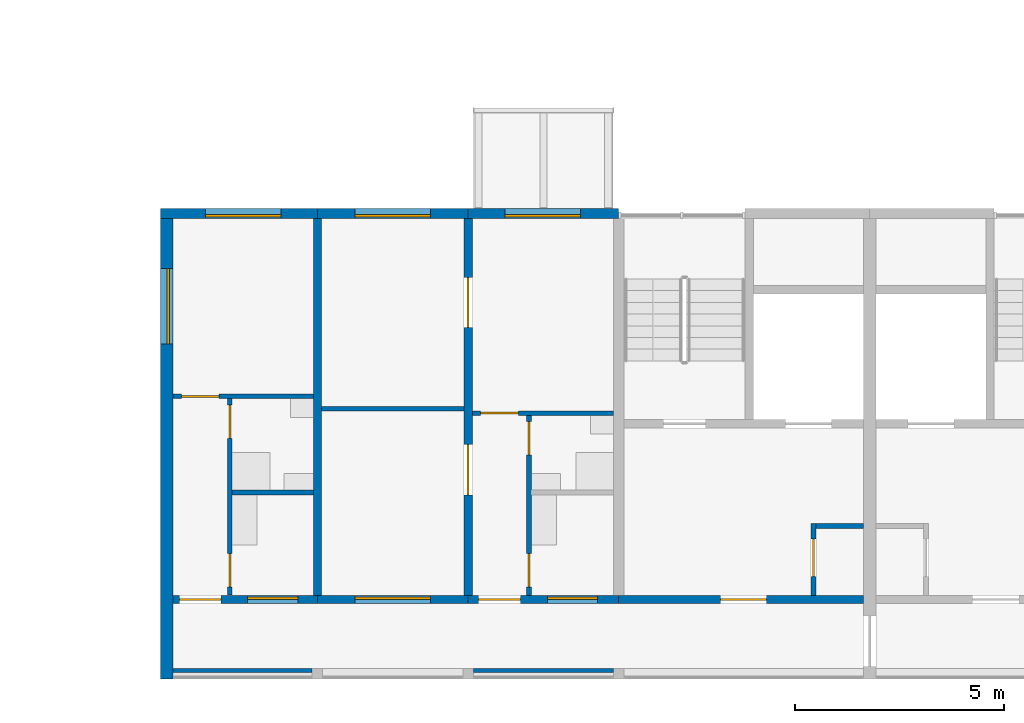
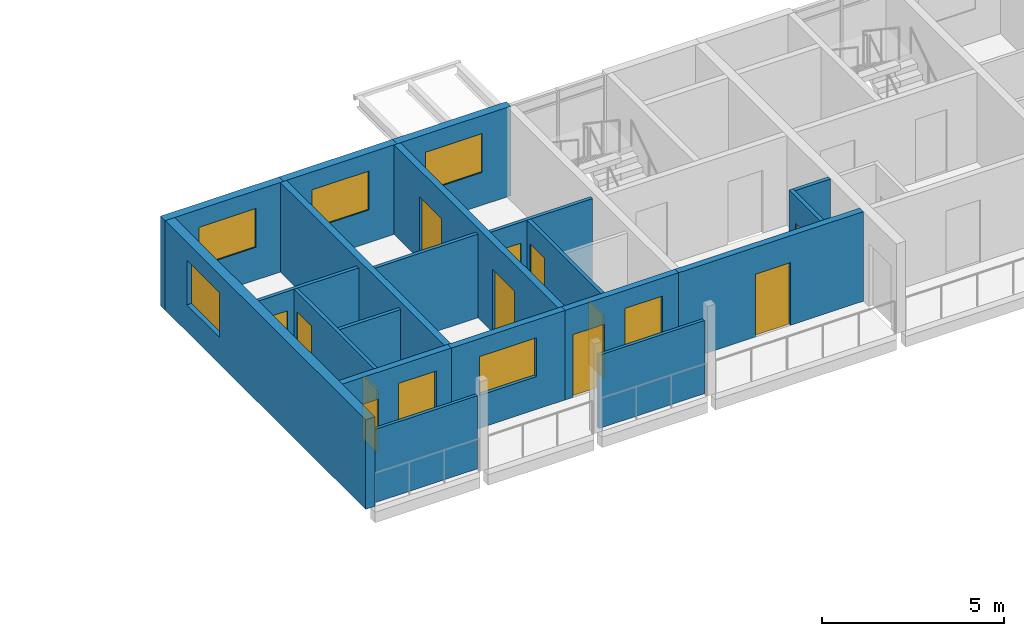
# One storey, part 45 of 94: 20 walls, 12 doors, 7 windows, 19 openings.
"""IFC4 building model written with IfcOpenShell, lengths in metres."""

from ifc_helpers import new_model, si_unit, direction, frame, frame_2d, origin, place, context, subcontext, project, spatial, rectangle, extrude, material, layer, layer_set, type_object, element, fill, save


model = new_model("IFC4")

# Units and contexts
model_context = context("Model", 3, precision=1e-05, world=origin(), true_north=direction((0.0, 1.0)))
body_context = subcontext(model_context, "Body", "Model", "MODEL_VIEW")
ifc_project = project(units=[si_unit("LENGTHUNIT", "METRE"), si_unit("AREAUNIT", "SQUARE_METRE"), si_unit("VOLUMEUNIT", "CUBIC_METRE"), si_unit("PLANEANGLEUNIT", "RADIAN"), si_unit("MASSUNIT", "GRAM", prefix="KILO")], contexts=[model_context])

# Site, building, storey
site_placement = place(None, origin())
site = spatial("IfcSite", under=ifc_project, at=site_placement, CompositionType="ELEMENT")
building_placement = place(site_placement, origin())
building = spatial("IfcBuilding", under=site, at=building_placement, Name="Ridgestep Commons", CompositionType="ELEMENT")
storey_placement = place(building_placement, frame((0.0, 0.0, 24.0)))
storey = spatial("IfcBuildingStorey", under=building, at=storey_placement, Name="L08", CompositionType="ELEMENT", Elevation=24.0)

# Wall, opening, door
ifc_material_1 = material(Name="Concrete C30/37", Category="concrete")
ifc_layer_1 = layer(ifc_material_1, 0.199951171875)
ifc_layer_set_1 = layer_set([ifc_layer_1], Name="Core south wall 200")
wall_type_1 = type_object("IfcWallType", Name="Core south wall 200", PredefinedType="SHEAR", material=ifc_layer_set_1)
wall_1_placement = place(storey_placement, frame((157.60009765625, 13.64990234375, 0.0), z_axis=(0.0, 0.0, 1.0), x_axis=(1.0, 0.0, 0.0)))
wall_1 = element("IfcWall", 1, at=wall_1_placement, inside=storey, type_object=wall_type_1, Name="Core south wall D1C L08", PredefinedType="SHEAR", context=body_context, shape_type="SweptSolid", body=[
    extrude(rectangle(XDim=5.849853515625, YDim=0.199951171875, at=frame_2d((2.9248046875, 0.0))), origin(), (0.0, 0.0, 1.0), 3.0),
])
opening_1_placement = place(wall_1_placement, frame((2.4375, 0.0, 0.0)))
opening_1 = element("IfcOpeningElement", 2, at=opening_1_placement, cuts=wall_1, Name="Opening D1C/08/1", PredefinedType="OPENING", context=body_context, shape_type="SweptSolid", body=[
    extrude(rectangle(XDim=1.10009765625, YDim=2.10009765625, at=frame_2d((0.550048828125, 1.050048828125))), frame((0.0, 0.10986328125, 0.0), z_axis=(0.0, -1.0, 0.0), x_axis=(1.0, 0.0, 0.0)), (0.0, 0.0, 1.0), 0.219970703125),
])
ifc_material_2 = material(Name="Steel fire door", Category="steel")
door_type_1 = type_object("IfcDoorType", Name="Lobby door 1100 x 2100 FD60", OperationType="NOTDEFINED", PredefinedType="DOOR", material=ifc_material_2)
door_1_placement = place(opening_1_placement, origin())
door_1 = element("IfcDoor", 3, at=door_1_placement, inside=storey, type_object=door_type_1, Name="Lobby door D1C/08/1", OperationType="SINGLE_SWING_LEFT", OverallHeight=2.10009765625, OverallWidth=1.10009765625, PredefinedType="DOOR", context=body_context, shape_type="SweptSolid", body=[
    extrude(rectangle(XDim=1.10009765625, YDim=2.10009765625, at=frame_2d((0.550048828125, 1.050048828125))), frame((0.0, 0.02490234375, 0.0), z_axis=(0.0, -1.0, 0.0), x_axis=(1.0, 0.0, 0.0)), (0.0, 0.0, 1.0), 0.050048828125),
])
fill(opening_1, door_1)

ifc_material_3 = material(Name="Concrete C30/37", Category="concrete")
ifc_layer_2 = layer(ifc_material_3, 0.1201171875)
ifc_layer_set_2 = layer_set([ifc_layer_2], Name="Core wall 120")
wall_type_2 = type_object("IfcWallType", Name="Core wall 120", PredefinedType="SHEAR", material=ifc_layer_set_2)
wall_2_placement = place(storey_placement, frame((162.260009765625, 13.75, 0.0), z_axis=(0.0, 0.0, 1.0), x_axis=(0.0, 1.0, 0.0)))
wall_2 = element("IfcWall", 4, at=wall_2_placement, inside=storey, type_object=wall_type_2, Name="Core riser w wall D1C L08", PredefinedType="SHEAR", context=body_context, shape_type="SweptSolid", body=[
    extrude(rectangle(XDim=1.719970703125, YDim=0.1201171875, at=frame_2d((0.85986328125, 0.0))), origin(), (0.0, 0.0, 1.0), 3.0),
])
opening_2_placement = place(wall_2_placement, frame((0.449951171875, 0.0, 0.0)))
opening_2 = element("IfcOpeningElement", 5, at=opening_2_placement, cuts=wall_2, Name="Opening D1C/08/4", PredefinedType="OPENING", context=body_context, shape_type="SweptSolid", body=[
    extrude(rectangle(XDim=0.89990234375, YDim=2.10009765625, at=frame_2d((0.449951171875, 1.050048828125))), frame((0.0, 0.070068359375, 0.0), z_axis=(0.0, -1.0, 0.0), x_axis=(1.0, 0.0, 0.0)), (0.0, 0.0, 1.0), 0.14013671875),
])
ifc_material_4 = material(Name="Steel fire door", Category="steel")
door_type_2 = type_object("IfcDoorType", Name="Riser door 900 x 2100 FD60", OperationType="NOTDEFINED", PredefinedType="DOOR", material=ifc_material_4)
door_2_placement = place(opening_2_placement, origin())
door_2 = element("IfcDoor", 6, at=door_2_placement, inside=storey, type_object=door_type_2, Name="Riser door D1C/08/4", OperationType="SINGLE_SWING_LEFT", OverallHeight=2.10009765625, OverallWidth=0.89990234375, PredefinedType="DOOR", context=body_context, shape_type="SweptSolid", body=[
    extrude(rectangle(XDim=0.89990234375, YDim=2.10009765625, at=frame_2d((0.449951171875, 1.050048828125))), frame((0.0, 0.02490234375, 0.0), z_axis=(0.0, -1.0, 0.0), x_axis=(1.0, 0.0, 0.0)), (0.0, 0.0, 1.0), 0.050048828125),
])
fill(opening_2, door_2)

# Walls
wall_3_placement = place(storey_placement, frame((162.320068359375, 15.409912109375, 0.0), z_axis=(0.0, 0.0, 1.0), x_axis=(1.0, 0.0, 0.0)))
element("IfcWall", 7, at=wall_3_placement, inside=storey, type_object=wall_type_2, Name="Core riser n wall D1C L08", PredefinedType="SHEAR", context=body_context, shape_type="SweptSolid", body=[
    extrude(rectangle(XDim=1.1298828125, YDim=0.1201171875, at=frame_2d((0.56494140625, 0.0))), origin(), (0.0, 0.0, 1.0), 3.0),
])
ifc_material_5 = material(Name="Precast concrete C40/50", Category="concrete")
ifc_layer_3 = layer(ifc_material_5, 0.199951171875)
ifc_layer_set_3 = layer_set([ifc_layer_3], Name="Cross wall 200")
wall_type_3 = type_object("IfcWallType", Name="Cross wall 200", PredefinedType="SHEAR", material=ifc_layer_set_3)
wall_4_placement = place(storey_placement, frame((150.39990234375, 13.75, 0.0), z_axis=(0.0, 0.0, 1.0), x_axis=(0.0, 1.0, 0.0)))
element("IfcWall", 8, at=wall_4_placement, inside=storey, type_object=wall_type_3, Name="Cross wall D-08-1504", PredefinedType="SHEAR", context=body_context, shape_type="SweptSolid", body=[
    extrude(rectangle(XDim=9.0, YDim=0.199951171875, at=frame_2d((4.5, 0.0))), origin(), (0.0, 0.0, 1.0), 3.0),
])

# Wall, openings, doors
wall_5_placement = place(storey_placement, frame((154.0, 13.75, 0.0), z_axis=(0.0, 0.0, 1.0), x_axis=(0.0, 1.0, 0.0)))
wall_5 = element("IfcWall", 9, at=wall_5_placement, inside=storey, type_object=wall_type_3, Name="Cross wall D-08-1540", PredefinedType="SHEAR", context=body_context, shape_type="SweptSolid", body=[
    extrude(rectangle(XDim=9.0, YDim=0.199951171875, at=frame_2d((4.5, 0.0))), origin(), (0.0, 0.0, 1.0), 3.0),
])
opening_3_placement = place(wall_5_placement, frame((2.39990234375, 0.0, 0.0)))
opening_3 = element("IfcOpeningElement", 10, at=opening_3_placement, cuts=wall_5, Name="Opening D1-08b/5", PredefinedType="OPENING", context=body_context, shape_type="SweptSolid", body=[
    extrude(rectangle(XDim=1.199951171875, YDim=2.10009765625, at=frame_2d((0.60009765625, 1.050048828125))), frame((0.0, 0.10986328125, 0.0), z_axis=(0.0, -1.0, 0.0), x_axis=(1.0, 0.0, 0.0)), (0.0, 0.0, 1.0), 0.219970703125),
])
opening_4_placement = place(wall_5_placement, frame((6.39990234375, 0.0, 0.0)))
opening_4 = element("IfcOpeningElement", 11, at=opening_4_placement, cuts=wall_5, Name="Opening D1-08b/6", PredefinedType="OPENING", context=body_context, shape_type="SweptSolid", body=[
    extrude(rectangle(XDim=1.199951171875, YDim=2.10009765625, at=frame_2d((0.60009765625, 1.050048828125))), frame((0.0, 0.10986328125, 0.0), z_axis=(0.0, -1.0, 0.0), x_axis=(1.0, 0.0, 0.0)), (0.0, 0.0, 1.0), 0.219970703125),
])
ifc_material_6 = material(Name="Timber door leaf", Category="wood")
door_type_3 = type_object("IfcDoorType", Name="Double door 1200 x 2100", OperationType="DOUBLE_DOOR_SINGLE_SWING", PredefinedType="DOOR", material=ifc_material_6)
door_3_placement = place(opening_3_placement, origin())
door_3 = element("IfcDoor", 12, at=door_3_placement, inside=storey, type_object=door_type_3, Name="Double door D1-08b/5", OperationType="DOUBLE_DOOR_SINGLE_SWING", OverallHeight=2.10009765625, OverallWidth=1.199951171875, PredefinedType="DOOR", context=body_context, shape_type="SweptSolid", body=[
    extrude(rectangle(XDim=1.199951171875, YDim=2.10009765625, at=frame_2d((0.60009765625, 1.050048828125))), frame((0.0, 0.02490234375, 0.0), z_axis=(0.0, -1.0, 0.0), x_axis=(1.0, 0.0, 0.0)), (0.0, 0.0, 1.0), 0.050048828125),
])
fill(opening_3, door_3)
door_4_placement = place(opening_4_placement, origin())
door_4 = element("IfcDoor", 13, at=door_4_placement, inside=storey, type_object=door_type_3, Name="Double door D1-08b/6", OperationType="DOUBLE_DOOR_SINGLE_SWING", OverallHeight=2.10009765625, OverallWidth=1.199951171875, PredefinedType="DOOR", context=body_context, shape_type="SweptSolid", body=[
    extrude(rectangle(XDim=1.199951171875, YDim=2.10009765625, at=frame_2d((0.60009765625, 1.050048828125))), frame((0.0, 0.02490234375, 0.0), z_axis=(0.0, -1.0, 0.0), x_axis=(1.0, 0.0, 0.0)), (0.0, 0.0, 1.0), 0.050048828125),
])
fill(opening_4, door_4)

# Wall, opening, window
ifc_material_7 = material(Name="Precast concrete C40/50", Category="concrete")
ifc_layer_4 = layer(ifc_material_7, 0.300048828125)
ifc_layer_set_4 = layer_set([ifc_layer_4], Name="Exposed division wall 300")
wall_type_4 = type_object("IfcWallType", Name="Exposed division wall 300", PredefinedType="SHEAR", material=ifc_layer_set_4)
wall_6_placement = place(storey_placement, frame((146.800048828125, 11.75, 0.0), z_axis=(0.0, 0.0, 1.0), x_axis=(0.0, 1.0, 0.0)))
wall_6 = element("IfcWall", 14, at=wall_6_placement, inside=storey, type_object=wall_type_4, Name="Cross wall D-08-1468", PredefinedType="SHEAR", context=body_context, shape_type="SweptSolid", body=[
    extrude(rectangle(XDim=11.0, YDim=0.300048828125, at=frame_2d((5.5, 0.0))), origin(), (0.0, 0.0, 1.0), 3.0),
])
opening_5_placement = place(wall_6_placement, frame((8.0048828125, 0.0, 0.89990234375)))
opening_5 = element("IfcOpeningElement", 15, at=opening_5_placement, cuts=wall_6, Name="Opening W20", PredefinedType="OPENING", context=body_context, shape_type="SweptSolid", body=[
    extrude(rectangle(XDim=1.800048828125, YDim=1.5, at=frame_2d((0.89990234375, 0.75))), frame((0.0, 0.159912109375, 0.0), z_axis=(0.0, -1.0, 0.0), x_axis=(1.0, 0.0, 0.0)), (0.0, 0.0, 1.0), 0.320068359375),
])
ifc_material_8 = material(Name="Aluminium 6063-T6 and glass", Category="aluminium")
window_type_1 = type_object("IfcWindowType", Name="Flat window 1800 x 1500", PartitioningType="DOUBLE_PANEL_VERTICAL", PredefinedType="WINDOW", material=ifc_material_8)
window_1_placement = place(opening_5_placement, origin())
window_1 = element("IfcWindow", 16, at=window_1_placement, inside=storey, type_object=window_type_1, Name="Window D1-08a 3", OverallHeight=1.5, OverallWidth=1.800048828125, PartitioningType="SINGLE_PANEL", PredefinedType="WINDOW", context=body_context, shape_type="SweptSolid", body=[
    extrude(rectangle(XDim=1.800048828125, YDim=1.5, at=frame_2d((0.89990234375, 0.75))), frame((0.0, 0.0, 0.0), z_axis=(0.0, -1.0, 0.0), x_axis=(1.0, 0.0, 0.0)), (0.0, 0.0, 1.0), 0.06005859375),
])
fill(opening_5, window_1)

ifc_material_9 = material(Name="Precast concrete C40/50", Category="concrete")
ifc_layer_5 = layer(ifc_material_9, 0.25)
ifc_layer_set_5 = layer_set([ifc_layer_5], Name="North facade panel 250")
wall_type_5 = type_object("IfcWallType", Name="North facade panel 250", PredefinedType="SOLIDWALL", material=ifc_layer_set_5)
wall_7_placement = place(storey_placement, frame((146.64990234375, 22.875, 0.0), z_axis=(0.0, 0.0, 1.0), x_axis=(1.0, 0.0, 0.0)))
wall_7 = element("IfcWall", 17, at=wall_7_placement, inside=storey, type_object=wall_type_5, Name="North panel D1T1 L08", PredefinedType="SOLIDWALL", context=body_context, shape_type="SweptSolid", body=[
    extrude(rectangle(XDim=3.75, YDim=0.25, at=frame_2d((1.875, 0.0))), origin(), (0.0, 0.0, 1.0), 3.0),
])
opening_6_placement = place(wall_7_placement, frame((1.074951171875, 0.0, 1.10009765625)))
opening_6 = element("IfcOpeningElement", 18, at=opening_6_placement, cuts=wall_7, Name="Opening W18", PredefinedType="OPENING", context=body_context, shape_type="SweptSolid", body=[
    extrude(rectangle(XDim=1.800048828125, YDim=1.300048828125, at=frame_2d((0.89990234375, 0.64990234375))), frame((0.0, 0.135009765625, 0.0), z_axis=(0.0, -1.0, 0.0), x_axis=(1.0, 0.0, 0.0)), (0.0, 0.0, 1.0), 0.27001953125),
])
ifc_material_10 = material(Name="Aluminium 6063-T6 and glass", Category="aluminium")
window_type_2 = type_object("IfcWindowType", Name="Flat window 1800 x 1300", PartitioningType="DOUBLE_PANEL_VERTICAL", PredefinedType="WINDOW", material=ifc_material_10)
window_2_placement = place(opening_6_placement, origin())
window_2 = element("IfcWindow", 19, at=window_2_placement, inside=storey, type_object=window_type_2, Name="Window D1-08a 2", OverallHeight=1.300048828125, OverallWidth=1.800048828125, PartitioningType="SINGLE_PANEL", PredefinedType="WINDOW", context=body_context, shape_type="SweptSolid", body=[
    extrude(rectangle(XDim=1.800048828125, YDim=1.300048828125, at=frame_2d((0.89990234375, 0.64990234375))), frame((0.0, -0.02490234375, 0.0), z_axis=(0.0, -1.0, 0.0), x_axis=(1.0, 0.0, 0.0)), (0.0, 0.0, 1.0), 0.06005859375),
])
fill(opening_6, window_2)

wall_8_placement = place(storey_placement, frame((150.39990234375, 22.875, 0.0), z_axis=(0.0, 0.0, 1.0), x_axis=(1.0, 0.0, 0.0)))
wall_8 = element("IfcWall", 20, at=wall_8_placement, inside=storey, type_object=wall_type_5, Name="North panel D1T2 L08", PredefinedType="SOLIDWALL", context=body_context, shape_type="SweptSolid", body=[
    extrude(rectangle(XDim=3.60009765625, YDim=0.25, at=frame_2d((1.800048828125, 0.0))), origin(), (0.0, 0.0, 1.0), 3.0),
])
opening_7_placement = place(wall_8_placement, frame((0.89990234375, 0.0, 1.10009765625)))
opening_7 = element("IfcOpeningElement", 21, at=opening_7_placement, cuts=wall_8, Name="Opening W18", PredefinedType="OPENING", context=body_context, shape_type="SweptSolid", body=[
    extrude(rectangle(XDim=1.800048828125, YDim=1.300048828125, at=frame_2d((0.89990234375, 0.64990234375))), frame((0.0, 0.135009765625, 0.0), z_axis=(0.0, -1.0, 0.0), x_axis=(1.0, 0.0, 0.0)), (0.0, 0.0, 1.0), 0.27001953125),
])
window_3_placement = place(opening_7_placement, origin())
window_3 = element("IfcWindow", 22, at=window_3_placement, inside=storey, type_object=window_type_2, Name="Window D1-08b 2", OverallHeight=1.300048828125, OverallWidth=1.800048828125, PartitioningType="SINGLE_PANEL", PredefinedType="WINDOW", context=body_context, shape_type="SweptSolid", body=[
    extrude(rectangle(XDim=1.800048828125, YDim=1.300048828125, at=frame_2d((0.89990234375, 0.64990234375))), frame((0.0, -0.02490234375, 0.0), z_axis=(0.0, -1.0, 0.0), x_axis=(1.0, 0.0, 0.0)), (0.0, 0.0, 1.0), 0.06005859375),
])
fill(opening_7, window_3)

wall_9_placement = place(storey_placement, frame((154.0, 22.875, 0.0), z_axis=(0.0, 0.0, 1.0), x_axis=(1.0, 0.0, 0.0)))
wall_9 = element("IfcWall", 23, at=wall_9_placement, inside=storey, type_object=wall_type_5, Name="North panel D1T3 L08", PredefinedType="SOLIDWALL", context=body_context, shape_type="SweptSolid", body=[
    extrude(rectangle(XDim=3.60009765625, YDim=0.25, at=frame_2d((1.800048828125, 0.0))), origin(), (0.0, 0.0, 1.0), 3.0),
])
opening_8_placement = place(wall_9_placement, frame((0.887451171875, 0.0, 1.10009765625)))
opening_8 = element("IfcOpeningElement", 24, at=opening_8_placement, cuts=wall_9, Name="Opening W18", PredefinedType="OPENING", context=body_context, shape_type="SweptSolid", body=[
    extrude(rectangle(XDim=1.800048828125, YDim=1.300048828125, at=frame_2d((0.89990234375, 0.64990234375))), frame((0.0, 0.135009765625, 0.0), z_axis=(0.0, -1.0, 0.0), x_axis=(1.0, 0.0, 0.0)), (0.0, 0.0, 1.0), 0.27001953125),
])
window_4_placement = place(opening_8_placement, origin())
window_4 = element("IfcWindow", 25, at=window_4_placement, inside=storey, type_object=window_type_2, Name="Window D1-08b 4", OverallHeight=1.300048828125, OverallWidth=1.800048828125, PartitioningType="SINGLE_PANEL", PredefinedType="WINDOW", context=body_context, shape_type="SweptSolid", body=[
    extrude(rectangle(XDim=1.800048828125, YDim=1.300048828125, at=frame_2d((0.89990234375, 0.64990234375))), frame((0.0, -0.02490234375, 0.0), z_axis=(0.0, -1.0, 0.0), x_axis=(1.0, 0.0, 0.0)), (0.0, 0.0, 1.0), 0.06005859375),
])
fill(opening_8, window_4)

# Wall, openings, doors
ifc_material_11 = material(Name="Common brick 110 mm", Category="masonry")
ifc_layer_6 = layer(ifc_material_11, 0.110107421875)
ifc_layer_set_6 = layer_set([ifc_layer_6], Name="Partition 110")
wall_type_6 = type_object("IfcWallType", Name="Partition 110", PredefinedType="PARTITIONING", material=ifc_layer_set_6)
wall_10_placement = place(storey_placement, frame((148.304931640625, 13.75, 0.0), z_axis=(0.0, 0.0, 1.0), x_axis=(0.0, 1.0, 0.0)))
wall_10 = element("IfcWall", 26, at=wall_10_placement, inside=storey, type_object=wall_type_6, Name="Partition D1-08a", PredefinedType="PARTITIONING", context=body_context, shape_type="SweptSolid", body=[
    extrude(rectangle(XDim=4.699951171875, YDim=0.110107421875, at=frame_2d((2.35009765625, 0.0))), origin(), (0.0, 0.0, 1.0), 2.75),
])
opening_9_placement = place(wall_10_placement, frame((0.199951171875, 0.0, 0.0)))
opening_9 = element("IfcOpeningElement", 27, at=opening_9_placement, cuts=wall_10, Name="Opening D1-08a/2", PredefinedType="OPENING", context=body_context, shape_type="SweptSolid", body=[
    extrude(rectangle(XDim=0.800048828125, YDim=2.10009765625, at=frame_2d((0.39990234375, 1.050048828125))), frame((0.0, 0.06494140625, 0.0), z_axis=(0.0, -1.0, 0.0), x_axis=(1.0, 0.0, 0.0)), (0.0, 0.0, 1.0), 0.130126953125),
])
opening_10_placement = place(wall_10_placement, frame((3.75, 0.0, 0.0)))
opening_10 = element("IfcOpeningElement", 28, at=opening_10_placement, cuts=wall_10, Name="Opening D1-08a/3", PredefinedType="OPENING", context=body_context, shape_type="SweptSolid", body=[
    extrude(rectangle(XDim=0.800048828125, YDim=2.10009765625, at=frame_2d((0.39990234375, 1.050048828125))), frame((0.0, 0.06494140625, 0.0), z_axis=(0.0, -1.0, 0.0), x_axis=(1.0, 0.0, 0.0)), (0.0, 0.0, 1.0), 0.130126953125),
])
ifc_material_12 = material(Name="Timber door leaf", Category="wood")
door_type_4 = type_object("IfcDoorType", Name="Internal door 800 x 2100", OperationType="NOTDEFINED", PredefinedType="DOOR", material=ifc_material_12)
door_5_placement = place(opening_9_placement, origin())
door_5 = element("IfcDoor", 29, at=door_5_placement, inside=storey, type_object=door_type_4, Name="Internal door D1-08a/2", OperationType="SINGLE_SWING_RIGHT", OverallHeight=2.10009765625, OverallWidth=0.800048828125, PredefinedType="DOOR", context=body_context, shape_type="SweptSolid", body=[
    extrude(rectangle(XDim=0.800048828125, YDim=2.10009765625, at=frame_2d((0.39990234375, 1.050048828125))), frame((0.0, 0.02490234375, 0.0), z_axis=(0.0, -1.0, 0.0), x_axis=(1.0, 0.0, 0.0)), (0.0, 0.0, 1.0), 0.050048828125),
])
fill(opening_9, door_5)
door_6_placement = place(opening_10_placement, origin())
door_6 = element("IfcDoor", 30, at=door_6_placement, inside=storey, type_object=door_type_4, Name="Internal door D1-08a/3", OperationType="SINGLE_SWING_LEFT", OverallHeight=2.10009765625, OverallWidth=0.800048828125, PredefinedType="DOOR", context=body_context, shape_type="SweptSolid", body=[
    extrude(rectangle(XDim=0.800048828125, YDim=2.10009765625, at=frame_2d((0.39990234375, 1.050048828125))), frame((0.0, 0.02490234375, 0.0), z_axis=(0.0, -1.0, 0.0), x_axis=(1.0, 0.0, 0.0)), (0.0, 0.0, 1.0), 0.050048828125),
])
fill(opening_10, door_6)

# Wall
wall_11_placement = place(storey_placement, frame((148.360107421875, 16.205078125, 0.0), z_axis=(0.0, 0.0, 1.0), x_axis=(1.0, 0.0, 0.0)))
element("IfcWall", 31, at=wall_11_placement, inside=storey, type_object=wall_type_6, Name="Partition D1-08a", PredefinedType="PARTITIONING", context=body_context, shape_type="SweptSolid", body=[
    extrude(rectangle(XDim=1.93994140625, YDim=0.110107421875, at=frame_2d((0.969970703125, 0.0))), origin(), (0.0, 0.0, 1.0), 2.75),
])

# Wall, opening, door
wall_12_placement = place(storey_placement, frame((146.949951171875, 18.5048828125, 0.0), z_axis=(0.0, 0.0, 1.0), x_axis=(1.0, 0.0, 0.0)))
wall_12 = element("IfcWall", 32, at=wall_12_placement, inside=storey, type_object=wall_type_6, Name="Partition D1-08a", PredefinedType="PARTITIONING", context=body_context, shape_type="SweptSolid", body=[
    extrude(rectangle(XDim=3.35009765625, YDim=0.110107421875, at=frame_2d((1.675048828125, 0.0))), origin(), (0.0, 0.0, 1.0), 2.75),
])
opening_11_placement = place(wall_12_placement, frame((0.199951171875, 0.0, 0.0)))
opening_11 = element("IfcOpeningElement", 33, at=opening_11_placement, cuts=wall_12, Name="Opening D1-08a/4", PredefinedType="OPENING", context=body_context, shape_type="SweptSolid", body=[
    extrude(rectangle(XDim=0.89990234375, YDim=2.10009765625, at=frame_2d((0.449951171875, 1.050048828125))), frame((0.0, 0.06494140625, 0.0), z_axis=(0.0, -1.0, 0.0), x_axis=(1.0, 0.0, 0.0)), (0.0, 0.0, 1.0), 0.130126953125),
])
ifc_material_13 = material(Name="Timber door leaf", Category="wood")
door_type_5 = type_object("IfcDoorType", Name="Internal door 900 x 2100", OperationType="NOTDEFINED", PredefinedType="DOOR", material=ifc_material_13)
door_7_placement = place(opening_11_placement, origin())
door_7 = element("IfcDoor", 34, at=door_7_placement, inside=storey, type_object=door_type_5, Name="Internal door D1-08a/4", OperationType="SINGLE_SWING_LEFT", OverallHeight=2.10009765625, OverallWidth=0.89990234375, PredefinedType="DOOR", context=body_context, shape_type="SweptSolid", body=[
    extrude(rectangle(XDim=0.89990234375, YDim=2.10009765625, at=frame_2d((0.449951171875, 1.050048828125))), frame((0.0, 0.02490234375, 0.0), z_axis=(0.0, -1.0, 0.0), x_axis=(1.0, 0.0, 0.0)), (0.0, 0.0, 1.0), 0.050048828125),
])
fill(opening_11, door_7)

# Wall, openings, doors
wall_13_placement = place(storey_placement, frame((155.455078125, 13.75, 0.0), z_axis=(0.0, 0.0, 1.0), x_axis=(0.0, 1.0, 0.0)))
wall_13 = element("IfcWall", 35, at=wall_13_placement, inside=storey, type_object=wall_type_6, Name="Partition D1-08b", PredefinedType="PARTITIONING", context=body_context, shape_type="SweptSolid", body=[
    extrude(rectangle(XDim=4.300048828125, YDim=0.110107421875, at=frame_2d((2.14990234375, 0.0))), origin(), (0.0, 0.0, 1.0), 2.800048828125),
])
opening_12_placement = place(wall_13_placement, frame((0.199951171875, 0.0, 0.0)))
opening_12 = element("IfcOpeningElement", 36, at=opening_12_placement, cuts=wall_13, Name="Opening D1-08b/2", PredefinedType="OPENING", context=body_context, shape_type="SweptSolid", body=[
    extrude(rectangle(XDim=0.800048828125, YDim=2.10009765625, at=frame_2d((0.39990234375, 1.050048828125))), frame((0.0, 0.06494140625, 0.0), z_axis=(0.0, -1.0, 0.0), x_axis=(1.0, 0.0, 0.0)), (0.0, 0.0, 1.0), 0.130126953125),
])
opening_13_placement = place(wall_13_placement, frame((3.35009765625, 0.0, 0.0)))
opening_13 = element("IfcOpeningElement", 37, at=opening_13_placement, cuts=wall_13, Name="Opening D1-08b/3", PredefinedType="OPENING", context=body_context, shape_type="SweptSolid", body=[
    extrude(rectangle(XDim=0.800048828125, YDim=2.10009765625, at=frame_2d((0.39990234375, 1.050048828125))), frame((0.0, 0.06494140625, 0.0), z_axis=(0.0, -1.0, 0.0), x_axis=(1.0, 0.0, 0.0)), (0.0, 0.0, 1.0), 0.130126953125),
])
door_8_placement = place(opening_12_placement, origin())
door_8 = element("IfcDoor", 38, at=door_8_placement, inside=storey, type_object=door_type_4, Name="Internal door D1-08b/2", OperationType="SINGLE_SWING_RIGHT", OverallHeight=2.10009765625, OverallWidth=0.800048828125, PredefinedType="DOOR", context=body_context, shape_type="SweptSolid", body=[
    extrude(rectangle(XDim=0.800048828125, YDim=2.10009765625, at=frame_2d((0.39990234375, 1.050048828125))), frame((0.0, 0.02490234375, 0.0), z_axis=(0.0, -1.0, 0.0), x_axis=(1.0, 0.0, 0.0)), (0.0, 0.0, 1.0), 0.050048828125),
])
fill(opening_12, door_8)
door_9_placement = place(opening_13_placement, origin())
door_9 = element("IfcDoor", 39, at=door_9_placement, inside=storey, type_object=door_type_4, Name="Internal door D1-08b/3", OperationType="SINGLE_SWING_LEFT", OverallHeight=2.10009765625, OverallWidth=0.800048828125, PredefinedType="DOOR", context=body_context, shape_type="SweptSolid", body=[
    extrude(rectangle(XDim=0.800048828125, YDim=2.10009765625, at=frame_2d((0.39990234375, 1.050048828125))), frame((0.0, 0.02490234375, 0.0), z_axis=(0.0, -1.0, 0.0), x_axis=(1.0, 0.0, 0.0)), (0.0, 0.0, 1.0), 0.050048828125),
])
fill(opening_13, door_9)

# Wall, opening, door
wall_14_placement = place(storey_placement, frame((154.10009765625, 18.10498046875, 0.0), z_axis=(0.0, 0.0, 1.0), x_axis=(1.0, 0.0, 0.0)))
wall_14 = element("IfcWall", 40, at=wall_14_placement, inside=storey, type_object=wall_type_6, Name="Partition D1-08b", PredefinedType="PARTITIONING", context=body_context, shape_type="SweptSolid", body=[
    extrude(rectangle(XDim=3.375, YDim=0.110107421875, at=frame_2d((1.6875, 0.0))), origin(), (0.0, 0.0, 1.0), 2.800048828125),
])
opening_14_placement = place(wall_14_placement, frame((0.199951171875, 0.0, 0.0)))
opening_14 = element("IfcOpeningElement", 41, at=opening_14_placement, cuts=wall_14, Name="Opening D1-08b/4", PredefinedType="OPENING", context=body_context, shape_type="SweptSolid", body=[
    extrude(rectangle(XDim=0.89990234375, YDim=2.10009765625, at=frame_2d((0.449951171875, 1.050048828125))), frame((0.0, 0.06494140625, 0.0), z_axis=(0.0, -1.0, 0.0), x_axis=(1.0, 0.0, 0.0)), (0.0, 0.0, 1.0), 0.130126953125),
])
door_10_placement = place(opening_14_placement, origin())
door_10 = element("IfcDoor", 42, at=door_10_placement, inside=storey, type_object=door_type_5, Name="Internal door D1-08b/4", OperationType="SINGLE_SWING_LEFT", OverallHeight=2.10009765625, OverallWidth=0.89990234375, PredefinedType="DOOR", context=body_context, shape_type="SweptSolid", body=[
    extrude(rectangle(XDim=0.89990234375, YDim=2.10009765625, at=frame_2d((0.449951171875, 1.050048828125))), frame((0.0, 0.02490234375, 0.0), z_axis=(0.0, -1.0, 0.0), x_axis=(1.0, 0.0, 0.0)), (0.0, 0.0, 1.0), 0.050048828125),
])
fill(opening_14, door_10)

# Walls
wall_15_placement = place(storey_placement, frame((150.5, 18.205078125, 0.0), z_axis=(0.0, 0.0, 1.0), x_axis=(1.0, 0.0, 0.0)))
element("IfcWall", 43, at=wall_15_placement, inside=storey, type_object=wall_type_6, Name="Partition D1-08b", PredefinedType="PARTITIONING", context=body_context, shape_type="SweptSolid", body=[
    extrude(rectangle(XDim=3.39990234375, YDim=0.110107421875, at=frame_2d((1.699951171875, 0.0))), origin(), (0.0, 0.0, 1.0), 2.800048828125),
])
ifc_material_14 = material(Name="Precast concrete C30/37", Category="concrete")
ifc_layer_7 = layer(ifc_material_14, 0.10009765625)
ifc_layer_set_7 = layer_set([ifc_layer_7], Name="Perforated gallery screen 3325 x 2450 x 100")
wall_type_7 = type_object("IfcWallType", Name="Perforated gallery screen 3325 x 2450 x 100", PredefinedType="SOLIDWALL", material=ifc_layer_set_7)
wall_16_placement = place(storey_placement, frame((146.949951171875, 11.949951171875, 0.0), z_axis=(0.0, 0.0, 1.0), x_axis=(1.0, 0.0, 0.0)))
element("IfcWall", 44, at=wall_16_placement, inside=storey, type_object=wall_type_7, Name="Gallery screen D1T1 08", PredefinedType="SOLIDWALL", context=body_context, shape_type="SweptSolid", body=[
    extrude(rectangle(XDim=3.324951171875, YDim=0.10009765625, at=frame_2d((1.66259765625, 0.0))), origin(), (0.0, 0.0, 1.0), 2.449951171875),
])
ifc_material_15 = material(Name="Precast concrete C30/37", Category="concrete")
ifc_layer_8 = layer(ifc_material_15, 0.10009765625)
ifc_layer_set_8 = layer_set([ifc_layer_8], Name="Perforated gallery screen 3350 x 2450 x 100")
wall_type_8 = type_object("IfcWallType", Name="Perforated gallery screen 3350 x 2450 x 100", PredefinedType="SOLIDWALL", material=ifc_layer_set_8)
wall_17_placement = place(storey_placement, frame((154.125, 11.949951171875, 0.0), z_axis=(0.0, 0.0, 1.0), x_axis=(1.0, 0.0, 0.0)))
element("IfcWall", 45, at=wall_17_placement, inside=storey, type_object=wall_type_8, Name="Gallery screen D1T3 08", PredefinedType="SOLIDWALL", context=body_context, shape_type="SweptSolid", body=[
    extrude(rectangle(XDim=3.35009765625, YDim=0.10009765625, at=frame_2d((1.675048828125, 0.0))), origin(), (0.0, 0.0, 1.0), 2.449951171875),
])

# Wall, openings, door, window
ifc_material_16 = material(Name="Precast concrete C40/50", Category="concrete")
ifc_layer_9 = layer(ifc_material_16, 0.199951171875)
ifc_layer_set_9 = layer_set([ifc_layer_9], Name="South facade panel 200")
wall_type_9 = type_object("IfcWallType", Name="South facade panel 200", PredefinedType="SOLIDWALL", material=ifc_layer_set_9)
wall_18_placement = place(storey_placement, frame((146.949951171875, 13.64990234375, 0.0), z_axis=(0.0, 0.0, 1.0), x_axis=(1.0, 0.0, 0.0)))
wall_18 = element("IfcWall", 46, at=wall_18_placement, inside=storey, type_object=wall_type_9, Name="South panel D1T1 L08", PredefinedType="SOLIDWALL", context=body_context, shape_type="SweptSolid", body=[
    extrude(rectangle(XDim=3.449951171875, YDim=0.199951171875, at=frame_2d((1.72509765625, 0.0))), origin(), (0.0, 0.0, 1.0), 3.0),
])
opening_15_placement = place(wall_18_placement, frame((1.780029296875, 0.0, 1.10009765625)))
opening_15 = element("IfcOpeningElement", 47, at=opening_15_placement, cuts=wall_18, Name="Opening W08", PredefinedType="OPENING", context=body_context, shape_type="SweptSolid", body=[
    extrude(rectangle(XDim=1.199951171875, YDim=1.300048828125, at=frame_2d((0.60009765625, 0.64990234375))), frame((0.0, 0.10986328125, 0.0), z_axis=(0.0, -1.0, 0.0), x_axis=(1.0, 0.0, 0.0)), (0.0, 0.0, 1.0), 0.219970703125),
])
opening_16_placement = place(wall_18_placement, frame((0.14990234375, 0.0, 0.0)))
opening_16 = element("IfcOpeningElement", 48, at=opening_16_placement, cuts=wall_18, Name="Opening D1-08a/1", PredefinedType="OPENING", context=body_context, shape_type="SweptSolid", body=[
    extrude(rectangle(XDim=1.0, YDim=2.10009765625, at=frame_2d((0.5, 1.050048828125))), frame((0.0, 0.10986328125, 0.0), z_axis=(0.0, -1.0, 0.0), x_axis=(1.0, 0.0, 0.0)), (0.0, 0.0, 1.0), 0.219970703125),
])
ifc_material_17 = material(Name="Timber door leaf", Category="wood")
door_type_6 = type_object("IfcDoorType", Name="Flat entrance door 1000 x 2100 FD30S", OperationType="NOTDEFINED", PredefinedType="DOOR", material=ifc_material_17)
door_11_placement = place(opening_16_placement, origin())
door_11 = element("IfcDoor", 49, at=door_11_placement, inside=storey, type_object=door_type_6, Name="Flat entrance door D1-08a/1", OperationType="SINGLE_SWING_LEFT", OverallHeight=2.10009765625, OverallWidth=1.0, PredefinedType="DOOR", context=body_context, shape_type="SweptSolid", body=[
    extrude(rectangle(XDim=1.0, YDim=2.10009765625, at=frame_2d((0.5, 1.050048828125))), frame((0.0, 0.02490234375, 0.0), z_axis=(0.0, -1.0, 0.0), x_axis=(1.0, 0.0, 0.0)), (0.0, 0.0, 1.0), 0.050048828125),
])
fill(opening_16, door_11)
ifc_material_18 = material(Name="Aluminium 6063-T6 and glass", Category="aluminium")
window_type_3 = type_object("IfcWindowType", Name="Flat window 1200 x 1300", PartitioningType="SINGLE_PANEL", PredefinedType="WINDOW", material=ifc_material_18)
window_5_placement = place(opening_15_placement, origin())
window_5 = element("IfcWindow", 50, at=window_5_placement, inside=storey, type_object=window_type_3, Name="Window D1-08a 1", OverallHeight=1.300048828125, OverallWidth=1.199951171875, PartitioningType="SINGLE_PANEL", PredefinedType="WINDOW", context=body_context, shape_type="SweptSolid", body=[
    extrude(rectangle(XDim=1.199951171875, YDim=1.300048828125, at=frame_2d((0.60009765625, 0.64990234375))), frame((0.0, 0.06005859375, 0.0), z_axis=(0.0, -1.0, 0.0), x_axis=(1.0, 0.0, 0.0)), (0.0, 0.0, 1.0), 0.06005859375),
])
fill(opening_15, window_5)

# Wall, opening, window
wall_19_placement = place(storey_placement, frame((150.39990234375, 13.64990234375, 0.0), z_axis=(0.0, 0.0, 1.0), x_axis=(1.0, 0.0, 0.0)))
wall_19 = element("IfcWall", 51, at=wall_19_placement, inside=storey, type_object=wall_type_9, Name="South panel D1T2 L08", PredefinedType="SOLIDWALL", context=body_context, shape_type="SweptSolid", body=[
    extrude(rectangle(XDim=3.60009765625, YDim=0.199951171875, at=frame_2d((1.800048828125, 0.0))), origin(), (0.0, 0.0, 1.0), 3.0),
])
opening_17_placement = place(wall_19_placement, frame((0.89990234375, 0.0, 1.10009765625)))
opening_17 = element("IfcOpeningElement", 52, at=opening_17_placement, cuts=wall_19, Name="Opening W18", PredefinedType="OPENING", context=body_context, shape_type="SweptSolid", body=[
    extrude(rectangle(XDim=1.800048828125, YDim=1.300048828125, at=frame_2d((0.89990234375, 0.64990234375))), frame((0.0, 0.10986328125, 0.0), z_axis=(0.0, -1.0, 0.0), x_axis=(1.0, 0.0, 0.0)), (0.0, 0.0, 1.0), 0.219970703125),
])
window_6_placement = place(opening_17_placement, origin())
window_6 = element("IfcWindow", 53, at=window_6_placement, inside=storey, type_object=window_type_2, Name="Window D1-08b 1", OverallHeight=1.300048828125, OverallWidth=1.800048828125, PartitioningType="SINGLE_PANEL", PredefinedType="WINDOW", context=body_context, shape_type="SweptSolid", body=[
    extrude(rectangle(XDim=1.800048828125, YDim=1.300048828125, at=frame_2d((0.89990234375, 0.64990234375))), frame((0.0, 0.06005859375, 0.0), z_axis=(0.0, -1.0, 0.0), x_axis=(1.0, 0.0, 0.0)), (0.0, 0.0, 1.0), 0.06005859375),
])
fill(opening_17, window_6)

# Wall, openings, door, window
wall_20_placement = place(storey_placement, frame((154.0, 13.64990234375, 0.0), z_axis=(0.0, 0.0, 1.0), x_axis=(1.0, 0.0, 0.0)))
wall_20 = element("IfcWall", 54, at=wall_20_placement, inside=storey, type_object=wall_type_9, Name="South panel D1T3 L08", PredefinedType="SOLIDWALL", context=body_context, shape_type="SweptSolid", body=[
    extrude(rectangle(XDim=3.60009765625, YDim=0.199951171875, at=frame_2d((1.800048828125, 0.0))), origin(), (0.0, 0.0, 1.0), 3.0),
])
opening_18_placement = place(wall_20_placement, frame((1.892578125, 0.0, 1.10009765625)))
opening_18 = element("IfcOpeningElement", 55, at=opening_18_placement, cuts=wall_20, Name="Opening W08", PredefinedType="OPENING", context=body_context, shape_type="SweptSolid", body=[
    extrude(rectangle(XDim=1.199951171875, YDim=1.300048828125, at=frame_2d((0.60009765625, 0.64990234375))), frame((0.0, 0.10986328125, 0.0), z_axis=(0.0, -1.0, 0.0), x_axis=(1.0, 0.0, 0.0)), (0.0, 0.0, 1.0), 0.219970703125),
])
opening_19_placement = place(wall_20_placement, frame((0.25, 0.0, 0.0)))
opening_19 = element("IfcOpeningElement", 56, at=opening_19_placement, cuts=wall_20, Name="Opening D1-08b/1", PredefinedType="OPENING", context=body_context, shape_type="SweptSolid", body=[
    extrude(rectangle(XDim=1.0, YDim=2.10009765625, at=frame_2d((0.5, 1.050048828125))), frame((0.0, 0.10986328125, 0.0), z_axis=(0.0, -1.0, 0.0), x_axis=(1.0, 0.0, 0.0)), (0.0, 0.0, 1.0), 0.219970703125),
])
door_12_placement = place(opening_19_placement, origin())
door_12 = element("IfcDoor", 57, at=door_12_placement, inside=storey, type_object=door_type_6, Name="Flat entrance door D1-08b/1", OperationType="SINGLE_SWING_LEFT", OverallHeight=2.10009765625, OverallWidth=1.0, PredefinedType="DOOR", context=body_context, shape_type="SweptSolid", body=[
    extrude(rectangle(XDim=1.0, YDim=2.10009765625, at=frame_2d((0.5, 1.050048828125))), frame((0.0, 0.02490234375, 0.0), z_axis=(0.0, -1.0, 0.0), x_axis=(1.0, 0.0, 0.0)), (0.0, 0.0, 1.0), 0.050048828125),
])
fill(opening_19, door_12)
window_7_placement = place(opening_18_placement, origin())
window_7 = element("IfcWindow", 58, at=window_7_placement, inside=storey, type_object=window_type_3, Name="Window D1-08b 3", OverallHeight=1.300048828125, OverallWidth=1.199951171875, PartitioningType="SINGLE_PANEL", PredefinedType="WINDOW", context=body_context, shape_type="SweptSolid", body=[
    extrude(rectangle(XDim=1.199951171875, YDim=1.300048828125, at=frame_2d((0.60009765625, 0.64990234375))), frame((0.0, 0.06005859375, 0.0), z_axis=(0.0, -1.0, 0.0), x_axis=(1.0, 0.0, 0.0)), (0.0, 0.0, 1.0), 0.06005859375),
])
fill(opening_18, window_7)

save(model, "model.ifc")
